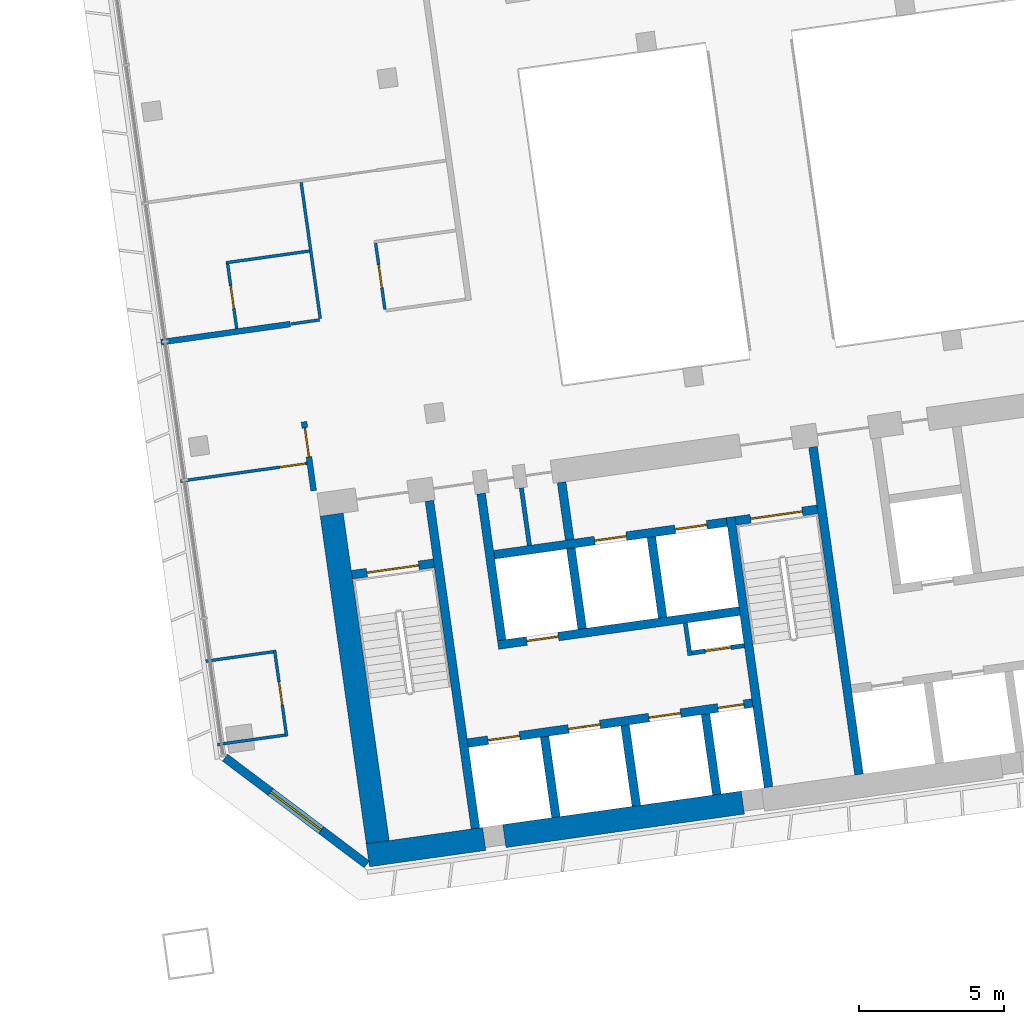
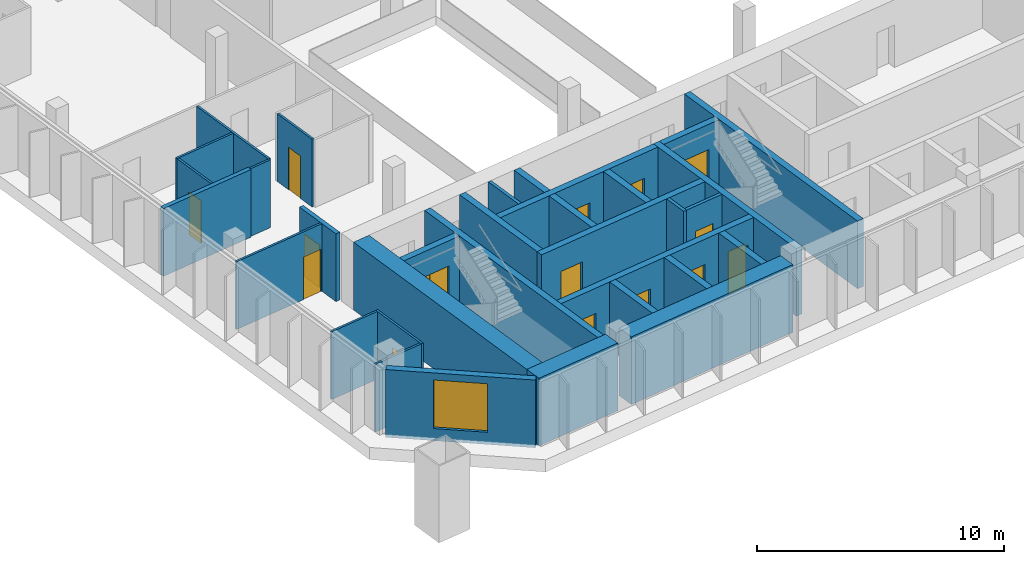
# One storey, part 18 of 25: 33 walls, 15 doors, 1 window, 16 openings.
"""IFC4 building model written with IfcOpenShell, lengths in metres."""

from ifc_helpers import new_model, si_unit, direction, frame, frame_2d, origin, place, context, subcontext, project, spatial, rectangle, extrude, material, layer, layer_set, type_object, element, fill, save


model = new_model("IFC4")

# Units and contexts
model_context = context("Model", 3, precision=1e-05, world=origin(), true_north=direction((0.0, 1.0)))
body_context = subcontext(model_context, "Body", "Model", "MODEL_VIEW")
ifc_project = project(units=[si_unit("LENGTHUNIT", "METRE"), si_unit("AREAUNIT", "SQUARE_METRE"), si_unit("VOLUMEUNIT", "CUBIC_METRE"), si_unit("PLANEANGLEUNIT", "RADIAN"), si_unit("MASSUNIT", "GRAM", prefix="KILO")], contexts=[model_context])

# Site, building, storey
site_placement = place(None, origin())
site = spatial("IfcSite", under=ifc_project, at=site_placement, CompositionType="ELEMENT")
building_placement = place(site_placement, origin())
building = spatial("IfcBuilding", under=site, at=building_placement, Name="Mirante Cascada Hotel Towers", CompositionType="ELEMENT")
storey_placement = place(building_placement, frame((0.0, 0.0, 102.5)))
storey = spatial("IfcBuildingStorey", under=building, at=storey_placement, Name="L22", CompositionType="ELEMENT", Elevation=102.5)

# Wall
ifc_material_1 = material(Name="Fire-rated plasterboard on metal studs")
ifc_layer_1 = layer(ifc_material_1, 0.2)
ifc_layer_set_1 = layer_set([ifc_layer_1], Name="Compartment wall 200 EI 120")
wall_type_1 = type_object("IfcWallType", Name="Compartment wall 200 EI 120", PredefinedType="PARTITIONING", material=ifc_layer_set_1)
wall_1_placement = place(storey_placement, frame((34.4562, -1.3737, 0.0), z_axis=(0.0, 0.0, 1.0), x_axis=(-0.9902674, -0.1391779, 0.0)))
element("IfcWall", 1, at=wall_1_placement, inside=storey, type_object=wall_type_1, Name="Wall 2-L22-08", PredefinedType="PARTITIONING", context=body_context, shape_type="SweptSolid", body=[
    extrude(rectangle(XDim=4.5, YDim=0.2, at=frame_2d((2.25, 0.0))), origin(), (0.0, 0.0, 1.0), 3.35),
])

# Wall, opening, door
wall_2_placement = place(storey_placement, frame((34.9294, -4.7406, 0.0), z_axis=(0.0, 0.0, 1.0), x_axis=(0.1391635, -0.9902694, 0.0)))
wall_2 = element("IfcWall", 2, at=wall_2_placement, inside=storey, type_object=wall_type_1, Name="Wall 2-L22-34", PredefinedType="PARTITIONING", context=body_context, shape_type="SweptSolid", body=[
    extrude(rectangle(XDim=2.4001, YDim=0.2, at=frame_2d((1.2, 0.0))), origin(), (0.0, 0.0, 1.0), 3.35),
])
opening_1_placement = place(wall_2_placement, frame((0.2167, 0.0, 0.0)))
opening_1 = element("IfcOpeningElement", 3, at=opening_1_placement, cuts=wall_2, Name="Opening D2-L22-28", PredefinedType="OPENING", context=body_context, shape_type="SweptSolid", body=[
    extrude(rectangle(XDim=1.0, YDim=2.1, at=frame_2d((0.5, 1.05))), frame((0.0, 0.1, 0.0), z_axis=(0.0, -1.0, 0.0), x_axis=(1.0, 0.0, 0.0)), (0.0, 0.0, 1.0), 0.2),
])
ifc_material_2 = material(Name="Fire-rated timber door leaf", Category="wood")
door_type_1 = type_object("IfcDoorType", Name="Entrance door DG1 1000x2100 EI 60", OperationType="SINGLE_SWING_LEFT", PredefinedType="DOOR", material=ifc_material_2)
door_1_placement = place(opening_1_placement, frame((1.0, 0.0, 0.0), z_axis=(0.0, 0.0, 1.0), x_axis=(-1.0, 0.0, 0.0)))
door_1 = element("IfcDoor", 4, at=door_1_placement, inside=storey, type_object=door_type_1, Name="Door D2-L22-28", OperationType="SINGLE_SWING_RIGHT", OverallHeight=2.1, OverallWidth=1.0, PredefinedType="DOOR", context=body_context, shape_type="SweptSolid", body=[
    extrude(rectangle(XDim=1.0, YDim=2.1, at=frame_2d((0.5, 1.05))), frame((0.0, 0.025, 0.0), z_axis=(0.0, -1.0, 0.0), x_axis=(1.0, 0.0, 0.0)), (0.0, 0.0, 1.0), 0.05),
])
fill(opening_1, door_1)

# Wall
ifc_material_3 = material(Name="Masonry block", Category="masonry")
ifc_layer_2 = layer(ifc_material_3, 0.15)
ifc_layer_set_2 = layer_set([ifc_layer_2], Name="Core room partition 150 block EI 30")
wall_type_2 = type_object("IfcWallType", Name="Core room partition 150 block EI 30", PredefinedType="PARTITIONING", material=ifc_layer_set_2)
wall_3_placement = place(storey_placement, frame((48.2295, -12.793, 0.0), z_axis=(0.0, 0.0, 1.0), x_axis=(-0.1391935, 0.9902652, 0.0)))
element("IfcWall", 5, at=wall_3_placement, inside=storey, type_object=wall_type_2, Name="Core wall partition T2 L22 2", PredefinedType="PARTITIONING", context=body_context, shape_type="SweptSolid", body=[
    extrude(rectangle(XDim=1.1251, YDim=0.15, at=frame_2d((0.5626, 0.0))), origin(), (0.0, 0.0, 1.0), 3.35),
])

# Wall, opening, door
wall_4_placement = place(storey_placement, frame((48.2933, -12.7083, 0.0), z_axis=(0.0, 0.0, 1.0), x_axis=(0.990268, 0.1391734, 0.0)))
wall_4 = element("IfcWall", 6, at=wall_4_placement, inside=storey, type_object=wall_type_2, Name="Core wall partition T2 L22 3", PredefinedType="PARTITIONING", context=body_context, shape_type="SweptSolid", body=[
    extrude(rectangle(XDim=1.8251, YDim=0.15, at=frame_2d((0.9126, 0.0))), origin(), (0.0, 0.0, 1.0), 3.35),
])
opening_2_placement = place(wall_4_placement, frame((0.4625, 0.0, 0.0)))
opening_2 = element("IfcOpeningElement", 7, at=opening_2_placement, cuts=wall_4, Name="Opening D2-22-C23", PredefinedType="OPENING", context=body_context, shape_type="SweptSolid", body=[
    extrude(rectangle(XDim=0.9, YDim=2.1, at=frame_2d((0.45, 1.05))), frame((0.0, 0.075, 0.0), z_axis=(0.0, -1.0, 0.0), x_axis=(1.0, 0.0, 0.0)), (0.0, 0.0, 1.0), 0.15),
])
ifc_material_4 = material(Name="Hollow metal fire door leaf")
door_type_2 = type_object("IfcDoorType", Name="Fire door 900x2100 FD60", OperationType="NOTDEFINED", PredefinedType="DOOR", material=ifc_material_4)
door_2_placement = place(opening_2_placement, frame((0.9, 0.0, 0.0), z_axis=(0.0, 0.0, 1.0), x_axis=(-1.0, 0.0, 0.0)))
door_2 = element("IfcDoor", 8, at=door_2_placement, inside=storey, type_object=door_type_2, Name="Riser door T2 L22 23", OperationType="SINGLE_SWING_RIGHT", OverallHeight=2.1, OverallWidth=0.9, PredefinedType="DOOR", context=body_context, shape_type="SweptSolid", body=[
    extrude(rectangle(XDim=0.9, YDim=2.1, at=frame_2d((0.45, 1.05))), frame((0.0, 0.025, 0.0), z_axis=(0.0, -1.0, 0.0), x_axis=(1.0, 0.0, 0.0)), (0.0, 0.0, 1.0), 0.05),
])
fill(opening_2, door_2)

# Walls
wall_5_placement = place(storey_placement, frame((42.6979, -9.0009, 0.0), z_axis=(0.0, 0.0, 1.0), x_axis=(-0.1391529, 0.9902709, 0.0)))
element("IfcWall", 9, at=wall_5_placement, inside=storey, type_object=wall_type_2, Name="Core wall partition T2 L22 4", PredefinedType="PARTITIONING", context=body_context, shape_type="SweptSolid", body=[
    extrude(rectangle(XDim=2.0, YDim=0.15, at=frame_2d((1.0, 0.0))), origin(), (0.0, 0.0, 1.0), 3.35),
])
ifc_material_5 = material(Name="Masonry block", Category="masonry")
ifc_layer_3 = layer(ifc_material_5, 0.3)
ifc_layer_set_3 = layer_set([ifc_layer_3], Name="Core wall 300 block EI 120")
wall_type_3 = type_object("IfcWallType", Name="Core wall 300 block EI 120", PredefinedType="PARTITIONING", material=ifc_layer_set_3)
wall_6_placement = place(storey_placement, frame((44.0843, -8.8061, 0.0), z_axis=(0.0, 0.0, 1.0), x_axis=(-0.1391951, 0.990265, 0.0)))
element("IfcWall", 10, at=wall_6_placement, inside=storey, type_object=wall_type_3, Name="Core wall partition T2 L22 1", PredefinedType="PARTITIONING", context=body_context, shape_type="SweptSolid", body=[
    extrude(rectangle(XDim=2.0001, YDim=0.3, at=frame_2d((1.0001, 0.0))), origin(), (0.0, 0.0, 1.0), 3.35),
])
ifc_material_6 = material(Name="Plasterboard on metal studs")
ifc_layer_4 = layer(ifc_material_6, 0.1)
ifc_layer_set_4 = layer_set([ifc_layer_4], Name="Partition 100")
wall_type_4 = type_object("IfcWallType", Name="Partition 100", PredefinedType="PARTITIONING", material=ifc_layer_set_4)
for number, where, z_axis, x_axis, name in (
    (11, (34.2756, -15.5367, 0.0), (0.0, 0.0, 1.0), (-0.9902661, -0.139187, 0.0), "Wall 2-L22-02"),
    (12, (31.5448, -12.992, 0.0), (0.0, 0.0, 1.0), (0.9902661, 0.139187, 0.0), "Wall 2-L22-03"),
):
    element("IfcWall", number, at=place(storey_placement, frame(where, z_axis=z_axis, x_axis=x_axis)), inside=storey, type_object=wall_type_4, Name=name, PredefinedType="PARTITIONING", context=body_context, shape_type="SweptSolid", body=[
        extrude(rectangle(XDim=2.3501, YDim=0.1, at=frame_2d((1.175, 0.0))), origin(), (0.0, 0.0, 1.0), 3.35),
    ])

# Wall, opening, door
wall_7_placement = place(storey_placement, frame((35.0298, -6.1739, 0.0), z_axis=(0.0, 0.0, 1.0), x_axis=(-0.9902665, -0.1391841, 0.0)))
wall_7 = element("IfcWall", 13, at=wall_7_placement, inside=storey, type_object=wall_type_4, Name="Wall 2-L22-04", PredefinedType="PARTITIONING", context=body_context, shape_type="SweptSolid", body=[
    extrude(rectangle(XDim=4.3999, YDim=0.1, at=frame_2d((2.2, 0.0))), origin(), (0.0, 0.0, 1.0), 3.35),
])
opening_3_placement = place(wall_7_placement, frame((0.05, 0.0, 0.0)))
opening_3 = element("IfcOpeningElement", 14, at=opening_3_placement, cuts=wall_7, Name="Opening D2-L22-02", PredefinedType="OPENING", context=body_context, shape_type="SweptSolid", body=[
    extrude(rectangle(XDim=0.9, YDim=2.1, at=frame_2d((0.45, 1.05))), frame((0.0, 0.05, 0.0), z_axis=(0.0, -1.0, 0.0), x_axis=(1.0, 0.0, 0.0)), (0.0, 0.0, 1.0), 0.1),
])
ifc_material_7 = material(Name="Timber door leaf", Category="wood")
door_type_3 = type_object("IfcDoorType", Name="Room door DG3 900x2100", OperationType="SINGLE_SWING_LEFT", PredefinedType="DOOR", material=ifc_material_7)
door_3_placement = place(opening_3_placement, origin())
door_3 = element("IfcDoor", 15, at=door_3_placement, inside=storey, type_object=door_type_3, Name="Door D2-L22-02", OperationType="SINGLE_SWING_LEFT", OverallHeight=2.1, OverallWidth=0.9, PredefinedType="DOOR", context=body_context, shape_type="SweptSolid", body=[
    extrude(rectangle(XDim=0.9, YDim=2.1, at=frame_2d((0.45, 1.05))), frame((0.0, 0.025, 0.0), z_axis=(0.0, -1.0, 0.0), x_axis=(1.0, 0.0, 0.0)), (0.0, 0.0, 1.0), 0.05),
])
fill(opening_3, door_3)

# Walls
wall_8_placement = place(storey_placement, frame((34.4859, -1.3695, 0.0), z_axis=(0.0, 0.0, 1.0), x_axis=(0.9902801, 0.1390877, 0.0)))
element("IfcWall", 16, at=wall_8_placement, inside=storey, type_object=wall_type_4, Name="Wall 2-L22-09", PredefinedType="PARTITIONING", context=body_context, shape_type="SweptSolid", body=[
    extrude(rectangle(XDim=0.99, YDim=0.1, at=frame_2d((0.495, 0.0))), origin(), (0.0, 0.0, 1.0), 3.35),
])
wall_9_placement = place(storey_placement, frame((35.1125, 1.1421, 0.0), z_axis=(0.0, 0.0, 1.0), x_axis=(-0.9902683, -0.1391714, 0.0)))
element("IfcWall", 17, at=wall_9_placement, inside=storey, type_object=wall_type_4, Name="Wall 2-L22-12", PredefinedType="PARTITIONING", context=body_context, shape_type="SweptSolid", body=[
    extrude(rectangle(XDim=2.9, YDim=0.1, at=frame_2d((1.45, 0.0))), origin(), (0.0, 0.0, 1.0), 3.35),
])

# Wall, opening, door
wall_10_placement = place(storey_placement, frame((33.9145, -12.6084, 0.0), z_axis=(0.0, 0.0, 1.0), x_axis=(0.1391624, -0.9902696, 0.0)))
wall_10 = element("IfcWall", 18, at=wall_10_placement, inside=storey, type_object=wall_type_4, Name="Wall 2-L22-32", PredefinedType="PARTITIONING", context=body_context, shape_type="SweptSolid", body=[
    extrude(rectangle(XDim=3.0001, YDim=0.1, at=frame_2d((1.5001, 0.0))), origin(), (0.0, 0.0, 1.0), 3.35),
])
opening_4_placement = place(wall_10_placement, frame((1.1, 0.0, 0.0)))
opening_4 = element("IfcOpeningElement", 19, at=opening_4_placement, cuts=wall_10, Name="Opening D2-L22-26", PredefinedType="OPENING", context=body_context, shape_type="SweptSolid", body=[
    extrude(rectangle(XDim=0.8, YDim=2.1, at=frame_2d((0.4, 1.05))), frame((0.0, 0.05, 0.0), z_axis=(0.0, -1.0, 0.0), x_axis=(1.0, 0.0, 0.0)), (0.0, 0.0, 1.0), 0.1),
])
ifc_material_8 = material(Name="Timber door leaf", Category="wood")
door_type_4 = type_object("IfcDoorType", Name="Bathroom door DG4 800x2100", OperationType="SINGLE_SWING_LEFT", PredefinedType="DOOR", material=ifc_material_8)
door_4_placement = place(opening_4_placement, origin())
door_4 = element("IfcDoor", 20, at=door_4_placement, inside=storey, type_object=door_type_4, Name="Door D2-L22-26", OperationType="SINGLE_SWING_LEFT", OverallHeight=2.1, OverallWidth=0.8, PredefinedType="DOOR", context=body_context, shape_type="SweptSolid", body=[
    extrude(rectangle(XDim=0.8, YDim=2.1, at=frame_2d((0.4, 1.05))), frame((0.0, 0.025, 0.0), z_axis=(0.0, -1.0, 0.0), x_axis=(1.0, 0.0, 0.0)), (0.0, 0.0, 1.0), 0.05),
])
fill(opening_4, door_4)

wall_11_placement = place(storey_placement, frame((32.6103, -1.5322, 0.0), z_axis=(0.0, 0.0, 1.0), x_axis=(-0.1391561, 0.9902705, 0.0)))
wall_11 = element("IfcWall", 21, at=wall_11_placement, inside=storey, type_object=wall_type_4, Name="Wall 2-L22-33", PredefinedType="PARTITIONING", context=body_context, shape_type="SweptSolid", body=[
    extrude(rectangle(XDim=2.25, YDim=0.1, at=frame_2d((1.125, 0.0))), origin(), (0.0, 0.0, 1.0), 3.35),
])
opening_5_placement = place(wall_11_placement, frame((0.7, 0.0, 0.0)))
opening_5 = element("IfcOpeningElement", 22, at=opening_5_placement, cuts=wall_11, Name="Opening D2-L22-27", PredefinedType="OPENING", context=body_context, shape_type="SweptSolid", body=[
    extrude(rectangle(XDim=0.8, YDim=2.1, at=frame_2d((0.4, 1.05))), frame((0.0, 0.05, 0.0), z_axis=(0.0, -1.0, 0.0), x_axis=(1.0, 0.0, 0.0)), (0.0, 0.0, 1.0), 0.1),
])
door_5_placement = place(opening_5_placement, frame((0.8, 0.0, 0.0), z_axis=(0.0, 0.0, 1.0), x_axis=(-1.0, 0.0, 0.0)))
door_5 = element("IfcDoor", 23, at=door_5_placement, inside=storey, type_object=door_type_4, Name="Door D2-L22-27", OperationType="SINGLE_SWING_RIGHT", OverallHeight=2.1, OverallWidth=0.8, PredefinedType="DOOR", context=body_context, shape_type="SweptSolid", body=[
    extrude(rectangle(XDim=0.8, YDim=2.1, at=frame_2d((0.4, 1.05))), frame((0.0, 0.025, 0.0), z_axis=(0.0, -1.0, 0.0), x_axis=(1.0, 0.0, 0.0)), (0.0, 0.0, 1.0), 0.05),
])
fill(opening_5, door_5)

# Wall
wall_12_placement = place(storey_placement, frame((34.8303, 3.5092, 0.0), z_axis=(0.0, 0.0, 1.0), x_axis=(0.1391613, -0.9902697, 0.0)))
element("IfcWall", 24, at=wall_12_placement, inside=storey, type_object=wall_type_4, Name="Wall 2-L22-36", PredefinedType="PARTITIONING", context=body_context, shape_type="SweptSolid", body=[
    extrude(rectangle(XDim=4.7334, YDim=0.1, at=frame_2d((2.3667, 0.0))), origin(), (0.0, 0.0, 1.0), 3.35),
])

# Wall, opening, door
wall_13_placement = place(storey_placement, frame((37.7171, -0.8649, 0.0), z_axis=(0.0, 0.0, 1.0), x_axis=(-0.1391749, 0.9902678, 0.0)))
wall_13 = element("IfcWall", 25, at=wall_13_placement, inside=storey, type_object=wall_type_4, Name="Wall 2-L22-37", PredefinedType="PARTITIONING", context=body_context, shape_type="SweptSolid", body=[
    extrude(rectangle(XDim=2.3, YDim=0.1, at=frame_2d((1.15, 0.0))), origin(), (0.0, 0.0, 1.0), 3.35),
])
opening_6_placement = place(wall_13_placement, frame((0.75, 0.0, 0.0)))
opening_6 = element("IfcOpeningElement", 26, at=opening_6_placement, cuts=wall_13, Name="Opening D2-L22-30", PredefinedType="OPENING", context=body_context, shape_type="SweptSolid", body=[
    extrude(rectangle(XDim=0.8, YDim=2.1, at=frame_2d((0.4, 1.05))), frame((0.0, 0.05, 0.0), z_axis=(0.0, -1.0, 0.0), x_axis=(1.0, 0.0, 0.0)), (0.0, 0.0, 1.0), 0.1),
])
door_6_placement = place(opening_6_placement, frame((0.8, 0.0, 0.0), z_axis=(0.0, 0.0, 1.0), x_axis=(-1.0, 0.0, 0.0)))
door_6 = element("IfcDoor", 27, at=door_6_placement, inside=storey, type_object=door_type_4, Name="Door D2-L22-30", OperationType="SINGLE_SWING_RIGHT", OverallHeight=2.1, OverallWidth=0.8, PredefinedType="DOOR", context=body_context, shape_type="SweptSolid", body=[
    extrude(rectangle(XDim=0.8, YDim=2.1, at=frame_2d((0.4, 1.05))), frame((0.0, 0.025, 0.0), z_axis=(0.0, -1.0, 0.0), x_axis=(1.0, 0.0, 0.0)), (0.0, 0.0, 1.0), 0.05),
])
fill(opening_6, door_6)

# Wall, opening, window
ifc_material_9 = material(Name="Precast concrete C40/50", Category="concrete")
ifc_layer_5 = layer(ifc_material_9, 0.3)
ifc_layer_set_5 = layer_set([ifc_layer_5], Name="Precast concrete C40/50 cladding wall 300")
wall_type_5 = type_object("IfcWallType", Name="Precast concrete C40/50 cladding wall 300", PredefinedType="STANDARD", material=ifc_layer_set_5)
wall_14_placement = place(storey_placement, frame((32.2074, -16.3138, 0.0), z_axis=(0.0, 0.0, 1.0), x_axis=(0.7986362, -0.6018141, 0.0)))
wall_14 = element("IfcWall", 28, at=wall_14_placement, inside=storey, type_object=wall_type_5, Name="Corner cladding wall T2 L22 inner rear", PredefinedType="STANDARD", context=body_context, shape_type="SweptSolid", body=[
    extrude(rectangle(XDim=6.1157, YDim=0.3, at=frame_2d((3.0578, 0.0))), origin(), (0.0, 0.0, 1.0), 3.35),
])
opening_7_placement = place(wall_14_placement, frame((1.9578, 0.0, 0.6)))
opening_7 = element("IfcOpeningElement", 29, at=opening_7_placement, cuts=wall_14, Name="Opening W2-22-06", PredefinedType="OPENING", context=body_context, shape_type="SweptSolid", body=[
    extrude(rectangle(XDim=2.2, YDim=2.4, at=frame_2d((1.1, 1.2))), frame((0.0, 0.15, 0.0), z_axis=(0.0, -1.0, 0.0), x_axis=(1.0, 0.0, 0.0)), (0.0, 0.0, 1.0), 0.3),
])
ifc_material_10 = material(Name="Aluminium frame with clear double glazing", Category="aluminium")
window_type = type_object("IfcWindowType", Name="Corner suite window 2200x2400", PartitioningType="DOUBLE_PANEL_VERTICAL", PredefinedType="WINDOW", material=ifc_material_10)
window_placement = place(opening_7_placement, origin())
window = element("IfcWindow", 30, at=window_placement, inside=storey, type_object=window_type, Name="Window W2-22-06", OverallHeight=2.4, OverallWidth=2.2, PartitioningType="SINGLE_PANEL", PredefinedType="WINDOW", context=body_context, shape_type="SweptSolid", body=[
    extrude(rectangle(XDim=2.2, YDim=2.4, at=frame_2d((1.1, 1.2))), frame((0.0, 0.03, 0.0), z_axis=(0.0, -1.0, 0.0), x_axis=(1.0, 0.0, 0.0)), (0.0, 0.0, 1.0), 0.06),
])
fill(opening_7, window)

# Walls
ifc_material_11 = material(Name="Concrete C50/60", Category="concrete")
ifc_layer_6 = layer(ifc_material_11, 0.3)
ifc_layer_set_6 = layer_set([ifc_layer_6], Name="RC core wall 300 C50/60")
wall_type_6 = type_object("IfcWallType", Name="RC core wall 300 C50/60", PredefinedType="SHEAR", material=ifc_layer_set_6)
wall_15_placement = place(storey_placement, frame((40.8373, -18.7548, 0.0), z_axis=(0.0, 0.0, 1.0), x_axis=(-0.1391749, 0.9902678, 0.0)))
element("IfcWall", 31, at=wall_15_placement, inside=storey, type_object=wall_type_6, Name="Core wall T2:L22:5", PredefinedType="SHEAR", context=body_context, shape_type="SweptSolid", body=[
    extrude(rectangle(XDim=11.4, YDim=0.3, at=frame_2d((5.7, 0.0))), origin(), (0.0, 0.0, 1.0), 3.35),
])
wall_16_placement = place(storey_placement, frame((50.938, -17.3352, 0.0), z_axis=(0.0, 0.0, 1.0), x_axis=(-0.1391706, 0.9902684, 0.0)))
element("IfcWall", 32, at=wall_16_placement, inside=storey, type_object=wall_type_6, Name="Core wall T2:L22:6", PredefinedType="SHEAR", context=body_context, shape_type="SweptSolid", body=[
    extrude(rectangle(XDim=9.4, YDim=0.3, at=frame_2d((4.7, 0.0))), origin(), (0.0, 0.0, 1.0), 3.35),
])
wall_17_placement = place(storey_placement, frame((54.0574, -16.8968, 0.0), z_axis=(0.0, 0.0, 1.0), x_axis=(-0.1391761, 0.9902677, 0.0)))
element("IfcWall", 33, at=wall_17_placement, inside=storey, type_object=wall_type_6, Name="Core wall T2:L22:7", PredefinedType="SHEAR", context=body_context, shape_type="SweptSolid", body=[
    extrude(rectangle(XDim=11.3999, YDim=0.3, at=frame_2d((5.7, 0.0))), origin(), (0.0, 0.0, 1.0), 3.35),
])

# Wall, opening, door
wall_18_placement = place(storey_placement, frame((36.5791, -10.0123, 0.0), z_axis=(0.0, 0.0, 1.0), x_axis=(0.9902704, 0.1391564, 0.0)))
wall_18 = element("IfcWall", 34, at=wall_18_placement, inside=storey, type_object=wall_type_6, Name="Core wall T2:L22:9", PredefinedType="SHEAR", context=body_context, shape_type="SweptSolid", body=[
    extrude(rectangle(XDim=2.85, YDim=0.3, at=frame_2d((1.425, 0.0))), origin(), (0.0, 0.0, 1.0), 3.35),
])
opening_8_placement = place(wall_18_placement, frame((0.525, 0.0, 0.0)))
opening_8 = element("IfcOpeningElement", 35, at=opening_8_placement, cuts=wall_18, Name="Opening D2-22-C13", PredefinedType="OPENING", context=body_context, shape_type="SweptSolid", body=[
    extrude(rectangle(XDim=1.8, YDim=2.1, at=frame_2d((0.9, 1.05))), frame((0.0, 0.15, 0.0), z_axis=(0.0, -1.0, 0.0), x_axis=(1.0, 0.0, 0.0)), (0.0, 0.0, 1.0), 0.3),
])
ifc_material_12 = material(Name="Hollow metal fire door leaf")
door_type_5 = type_object("IfcDoorType", Name="Double fire door 1800x2100 FD60", OperationType="DOUBLE_DOOR_SINGLE_SWING", PredefinedType="DOOR", material=ifc_material_12)
door_7_placement = place(opening_8_placement, frame((1.8, 0.0, 0.0), z_axis=(0.0, 0.0, 1.0), x_axis=(-1.0, 0.0, 0.0)))
door_7 = element("IfcDoor", 36, at=door_7_placement, inside=storey, type_object=door_type_5, Name="Stair door T2 L22 13", OperationType="DOUBLE_DOOR_SINGLE_SWING", OverallHeight=2.1, OverallWidth=1.8, PredefinedType="DOOR", context=body_context, shape_type="SweptSolid", body=[
    extrude(rectangle(XDim=0.895, YDim=2.1, at=frame_2d((0.4475, 1.05))), frame((0.0, 0.025, 0.0), z_axis=(0.0, -1.0, 0.0), x_axis=(1.0, 0.0, 0.0)), (0.0, 0.0, 1.0), 0.05),
    extrude(rectangle(XDim=0.895, YDim=2.1, at=frame_2d((1.3525, 1.05))), frame((0.0, 0.025, 0.0), z_axis=(0.0, -1.0, 0.0), x_axis=(1.0, 0.0, 0.0)), (0.0, 0.0, 1.0), 0.05),
])
fill(opening_8, door_7)

wall_19_placement = place(storey_placement, frame((49.7992, -8.1544, 0.0), z_axis=(0.0, 0.0, 1.0), x_axis=(0.9902656, 0.1391909, 0.0)))
wall_19 = element("IfcWall", 37, at=wall_19_placement, inside=storey, type_object=wall_type_6, Name="Core wall T2:L22:10", PredefinedType="SHEAR", context=body_context, shape_type="SweptSolid", body=[
    extrude(rectangle(XDim=2.85, YDim=0.3, at=frame_2d((1.425, 0.0))), origin(), (0.0, 0.0, 1.0), 3.35),
])
opening_9_placement = place(wall_19_placement, frame((0.525, 0.0, 0.0)))
opening_9 = element("IfcOpeningElement", 38, at=opening_9_placement, cuts=wall_19, Name="Opening D2-22-C15", PredefinedType="OPENING", context=body_context, shape_type="SweptSolid", body=[
    extrude(rectangle(XDim=1.8, YDim=2.1, at=frame_2d((0.9, 1.05))), frame((0.0, 0.15, 0.0), z_axis=(0.0, -1.0, 0.0), x_axis=(1.0, 0.0, 0.0)), (0.0, 0.0, 1.0), 0.3),
])
door_8_placement = place(opening_9_placement, frame((1.8, 0.0, 0.0), z_axis=(0.0, 0.0, 1.0), x_axis=(-1.0, 0.0, 0.0)))
door_8 = element("IfcDoor", 39, at=door_8_placement, inside=storey, type_object=door_type_5, Name="Stair door T2 L22 15", OperationType="DOUBLE_DOOR_SINGLE_SWING", OverallHeight=2.1, OverallWidth=1.8, PredefinedType="DOOR", context=body_context, shape_type="SweptSolid", body=[
    extrude(rectangle(XDim=0.895, YDim=2.1, at=frame_2d((0.4475, 1.05))), frame((0.0, 0.025, 0.0), z_axis=(0.0, -1.0, 0.0), x_axis=(1.0, 0.0, 0.0)), (0.0, 0.0, 1.0), 0.05),
    extrude(rectangle(XDim=0.895, YDim=2.1, at=frame_2d((1.3525, 1.05))), frame((0.0, 0.025, 0.0), z_axis=(0.0, -1.0, 0.0), x_axis=(1.0, 0.0, 0.0)), (0.0, 0.0, 1.0), 0.05),
])
fill(opening_9, door_8)

# Wall, openings, doors
wall_20_placement = place(storey_placement, frame((40.5753, -15.8126, 0.0), z_axis=(0.0, 0.0, 1.0), x_axis=(0.9902682, 0.1391725, 0.0)))
wall_20 = element("IfcWall", 40, at=wall_20_placement, inside=storey, type_object=wall_type_6, Name="Core wall T2:L22:12", PredefinedType="SHEAR", context=body_context, shape_type="SweptSolid", body=[
    extrude(rectangle(XDim=9.8999, YDim=0.3, at=frame_2d((4.95, 0.0))), origin(), (0.0, 0.0, 1.0), 3.35),
])
opening_10_placement = place(wall_20_placement, frame((0.7, 0.0, 0.0)))
opening_10 = element("IfcOpeningElement", 41, at=opening_10_placement, cuts=wall_20, Name="Opening LD", PredefinedType="OPENING", context=body_context, shape_type="SweptSolid", body=[
    extrude(rectangle(XDim=1.1, YDim=2.1, at=frame_2d((0.55, 1.05))), frame((0.0, 0.15, 0.0), z_axis=(0.0, -1.0, 0.0), x_axis=(1.0, 0.0, 0.0)), (0.0, 0.0, 1.0), 0.3),
])
opening_11_placement = place(wall_20_placement, frame((3.5, 0.0, 0.0)))
opening_11 = element("IfcOpeningElement", 42, at=opening_11_placement, cuts=wall_20, Name="Opening LD", PredefinedType="OPENING", context=body_context, shape_type="SweptSolid", body=[
    extrude(rectangle(XDim=1.1, YDim=2.1, at=frame_2d((0.55, 1.05))), frame((0.0, 0.15, 0.0), z_axis=(0.0, -1.0, 0.0), x_axis=(1.0, 0.0, 0.0)), (0.0, 0.0, 1.0), 0.3),
])
opening_12_placement = place(wall_20_placement, frame((6.3, 0.0, 0.0)))
opening_12 = element("IfcOpeningElement", 43, at=opening_12_placement, cuts=wall_20, Name="Opening LD", PredefinedType="OPENING", context=body_context, shape_type="SweptSolid", body=[
    extrude(rectangle(XDim=1.1, YDim=2.1, at=frame_2d((0.55, 1.05))), frame((0.0, 0.15, 0.0), z_axis=(0.0, -1.0, 0.0), x_axis=(1.0, 0.0, 0.0)), (0.0, 0.0, 1.0), 0.3),
])
opening_13_placement = place(wall_20_placement, frame((8.7, 0.0, 0.0)))
opening_13 = element("IfcOpeningElement", 44, at=opening_13_placement, cuts=wall_20, Name="Opening D2-22-C22", PredefinedType="OPENING", context=body_context, shape_type="SweptSolid", body=[
    extrude(rectangle(XDim=0.9, YDim=2.1, at=frame_2d((0.45, 1.05))), frame((0.0, 0.15, 0.0), z_axis=(0.0, -1.0, 0.0), x_axis=(1.0, 0.0, 0.0)), (0.0, 0.0, 1.0), 0.3),
])
door_9_placement = place(opening_13_placement, frame((0.9, 0.0, 0.0), z_axis=(0.0, 0.0, 1.0), x_axis=(-1.0, 0.0, 0.0)))
door_9 = element("IfcDoor", 45, at=door_9_placement, inside=storey, type_object=door_type_2, Name="Riser door T2 L22 22", OperationType="SINGLE_SWING_RIGHT", OverallHeight=2.1, OverallWidth=0.9, PredefinedType="DOOR", context=body_context, shape_type="SweptSolid", body=[
    extrude(rectangle(XDim=0.9, YDim=2.1, at=frame_2d((0.45, 1.05))), frame((0.0, 0.025, 0.0), z_axis=(0.0, -1.0, 0.0), x_axis=(1.0, 0.0, 0.0)), (0.0, 0.0, 1.0), 0.05),
])
fill(opening_13, door_9)
ifc_material_13 = material(Name="Stainless steel", Category="steel")
door_type_6 = type_object("IfcDoorType", Name="Lift landing door 1100x2100 EI 120", OperationType="DOUBLE_DOOR_SLIDING", PredefinedType="DOOR", material=ifc_material_13)
door_10_placement = place(opening_10_placement, origin())
door_10 = element("IfcDoor", 46, at=door_10_placement, inside=storey, type_object=door_type_6, Name="Lift landing door HR2-1 L22", OperationType="DOUBLE_DOOR_SLIDING", OverallHeight=2.1, OverallWidth=1.1, PredefinedType="DOOR", context=body_context, shape_type="SweptSolid", body=[
    extrude(rectangle(XDim=0.545, YDim=2.1, at=frame_2d((0.2725, 1.05))), frame((0.0, 0.025, 0.0), z_axis=(0.0, -1.0, 0.0), x_axis=(1.0, 0.0, 0.0)), (0.0, 0.0, 1.0), 0.05),
    extrude(rectangle(XDim=0.545, YDim=2.1, at=frame_2d((0.8275, 1.05))), frame((0.0, 0.025, 0.0), z_axis=(0.0, -1.0, 0.0), x_axis=(1.0, 0.0, 0.0)), (0.0, 0.0, 1.0), 0.05),
])
fill(opening_10, door_10)
door_11_placement = place(opening_11_placement, origin())
door_11 = element("IfcDoor", 47, at=door_11_placement, inside=storey, type_object=door_type_6, Name="Lift landing door HR2-2 L22", OperationType="DOUBLE_DOOR_SLIDING", OverallHeight=2.1, OverallWidth=1.1, PredefinedType="DOOR", context=body_context, shape_type="SweptSolid", body=[
    extrude(rectangle(XDim=0.545, YDim=2.1, at=frame_2d((0.2725, 1.05))), frame((0.0, 0.025, 0.0), z_axis=(0.0, -1.0, 0.0), x_axis=(1.0, 0.0, 0.0)), (0.0, 0.0, 1.0), 0.05),
    extrude(rectangle(XDim=0.545, YDim=2.1, at=frame_2d((0.8275, 1.05))), frame((0.0, 0.025, 0.0), z_axis=(0.0, -1.0, 0.0), x_axis=(1.0, 0.0, 0.0)), (0.0, 0.0, 1.0), 0.05),
])
fill(opening_11, door_11)
door_12_placement = place(opening_12_placement, origin())
door_12 = element("IfcDoor", 48, at=door_12_placement, inside=storey, type_object=door_type_6, Name="Lift landing door HR2-3 L22", OperationType="DOUBLE_DOOR_SLIDING", OverallHeight=2.1, OverallWidth=1.1, PredefinedType="DOOR", context=body_context, shape_type="SweptSolid", body=[
    extrude(rectangle(XDim=0.545, YDim=2.1, at=frame_2d((0.2725, 1.05))), frame((0.0, 0.025, 0.0), z_axis=(0.0, -1.0, 0.0), x_axis=(1.0, 0.0, 0.0)), (0.0, 0.0, 1.0), 0.05),
    extrude(rectangle(XDim=0.545, YDim=2.1, at=frame_2d((0.8275, 1.05))), frame((0.0, 0.025, 0.0), z_axis=(0.0, -1.0, 0.0), x_axis=(1.0, 0.0, 0.0)), (0.0, 0.0, 1.0), 0.05),
])
fill(opening_12, door_12)

# Wall, opening, door
wall_21_placement = place(storey_placement, frame((41.6153, -12.435, 0.0), z_axis=(0.0, 0.0, 1.0), x_axis=(0.9902691, 0.139166, 0.0)))
wall_21 = element("IfcWall", 49, at=wall_21_placement, inside=storey, type_object=wall_type_6, Name="Core wall T2:L22:13", PredefinedType="SHEAR", context=body_context, shape_type="SweptSolid", body=[
    extrude(rectangle(XDim=8.4, YDim=0.3, at=frame_2d((4.2, 0.0))), origin(), (0.0, 0.0, 1.0), 3.35),
])
opening_14_placement = place(wall_21_placement, frame((1.0, 0.0, 0.0)))
opening_14 = element("IfcOpeningElement", 50, at=opening_14_placement, cuts=wall_21, Name="Opening LD", PredefinedType="OPENING", context=body_context, shape_type="SweptSolid", body=[
    extrude(rectangle(XDim=1.1, YDim=2.1, at=frame_2d((0.55, 1.05))), frame((0.0, 0.15, 0.0), z_axis=(0.0, -1.0, 0.0), x_axis=(1.0, 0.0, 0.0)), (0.0, 0.0, 1.0), 0.3),
])
door_13_placement = place(opening_14_placement, origin())
door_13 = element("IfcDoor", 51, at=door_13_placement, inside=storey, type_object=door_type_6, Name="Lift landing door HR2-4 L22", OperationType="DOUBLE_DOOR_SLIDING", OverallHeight=2.1, OverallWidth=1.1, PredefinedType="DOOR", context=body_context, shape_type="SweptSolid", body=[
    extrude(rectangle(XDim=0.545, YDim=2.1, at=frame_2d((0.2725, 1.05))), frame((0.0, 0.025, 0.0), z_axis=(0.0, -1.0, 0.0), x_axis=(1.0, 0.0, 0.0)), (0.0, 0.0, 1.0), 0.05),
    extrude(rectangle(XDim=0.545, YDim=2.1, at=frame_2d((0.8275, 1.05))), frame((0.0, 0.025, 0.0), z_axis=(0.0, -1.0, 0.0), x_axis=(1.0, 0.0, 0.0)), (0.0, 0.0, 1.0), 0.05),
])
fill(opening_14, door_13)

# Wall, openings, doors
wall_22_placement = place(storey_placement, frame((41.481, -9.3234, 0.0), z_axis=(0.0, 0.0, 1.0), x_axis=(0.9902679, 0.1391741, 0.0)))
wall_22 = element("IfcWall", 52, at=wall_22_placement, inside=storey, type_object=wall_type_6, Name="Core wall T2:L22:14", PredefinedType="SHEAR", context=body_context, shape_type="SweptSolid", body=[
    extrude(rectangle(XDim=8.0999, YDim=0.3, at=frame_2d((4.05, 0.0))), origin(), (0.0, 0.0, 1.0), 3.35),
])
opening_15_placement = place(wall_22_placement, frame((3.5, 0.0, 0.0)))
opening_15 = element("IfcOpeningElement", 53, at=opening_15_placement, cuts=wall_22, Name="Opening LD", PredefinedType="OPENING", context=body_context, shape_type="SweptSolid", body=[
    extrude(rectangle(XDim=1.1, YDim=2.1, at=frame_2d((0.55, 1.05))), frame((0.0, 0.15, 0.0), z_axis=(0.0, -1.0, 0.0), x_axis=(1.0, 0.0, 0.0)), (0.0, 0.0, 1.0), 0.3),
])
opening_16_placement = place(wall_22_placement, frame((6.3, 0.0, 0.0)))
opening_16 = element("IfcOpeningElement", 54, at=opening_16_placement, cuts=wall_22, Name="Opening LD", PredefinedType="OPENING", context=body_context, shape_type="SweptSolid", body=[
    extrude(rectangle(XDim=1.1, YDim=2.1, at=frame_2d((0.55, 1.05))), frame((0.0, 0.15, 0.0), z_axis=(0.0, -1.0, 0.0), x_axis=(1.0, 0.0, 0.0)), (0.0, 0.0, 1.0), 0.3),
])
door_14_placement = place(opening_15_placement, origin())
door_14 = element("IfcDoor", 55, at=door_14_placement, inside=storey, type_object=door_type_6, Name="Lift landing door FF3 L22", OperationType="DOUBLE_DOOR_SLIDING", OverallHeight=2.1, OverallWidth=1.1, PredefinedType="DOOR", context=body_context, shape_type="SweptSolid", body=[
    extrude(rectangle(XDim=0.545, YDim=2.1, at=frame_2d((0.2725, 1.05))), frame((0.0, 0.025, 0.0), z_axis=(0.0, -1.0, 0.0), x_axis=(1.0, 0.0, 0.0)), (0.0, 0.0, 1.0), 0.05),
    extrude(rectangle(XDim=0.545, YDim=2.1, at=frame_2d((0.8275, 1.05))), frame((0.0, 0.025, 0.0), z_axis=(0.0, -1.0, 0.0), x_axis=(1.0, 0.0, 0.0)), (0.0, 0.0, 1.0), 0.05),
])
fill(opening_15, door_14)
door_15_placement = place(opening_16_placement, origin())
door_15 = element("IfcDoor", 56, at=door_15_placement, inside=storey, type_object=door_type_6, Name="Lift landing door FF4 L22", OperationType="DOUBLE_DOOR_SLIDING", OverallHeight=2.1, OverallWidth=1.1, PredefinedType="DOOR", context=body_context, shape_type="SweptSolid", body=[
    extrude(rectangle(XDim=0.545, YDim=2.1, at=frame_2d((0.2725, 1.05))), frame((0.0, 0.025, 0.0), z_axis=(0.0, -1.0, 0.0), x_axis=(1.0, 0.0, 0.0)), (0.0, 0.0, 1.0), 0.05),
    extrude(rectangle(XDim=0.545, YDim=2.1, at=frame_2d((0.8275, 1.05))), frame((0.0, 0.025, 0.0), z_axis=(0.0, -1.0, 0.0), x_axis=(1.0, 0.0, 0.0)), (0.0, 0.0, 1.0), 0.05),
])
fill(opening_16, door_15)

# Walls
wall_23_placement = place(storey_placement, frame((43.61, -18.3651, 0.0), z_axis=(0.0, 0.0, 1.0), x_axis=(-0.1391459, 0.9902719, 0.0)))
element("IfcWall", 57, at=wall_23_placement, inside=storey, type_object=wall_type_6, Name="Core wall T2:L22:15", PredefinedType="SHEAR", context=body_context, shape_type="SweptSolid", body=[
    extrude(rectangle(XDim=2.7999, YDim=0.3, at=frame_2d((1.4, 0.0))), origin(), (0.0, 0.0, 1.0), 3.35),
])
wall_24_placement = place(storey_placement, frame((46.3828, -17.9754, 0.0), z_axis=(0.0, 0.0, 1.0), x_axis=(-0.139181, 0.990267, 0.0)))
element("IfcWall", 58, at=wall_24_placement, inside=storey, type_object=wall_type_6, Name="Core wall T2:L22:16", PredefinedType="SHEAR", context=body_context, shape_type="SweptSolid", body=[
    extrude(rectangle(XDim=2.8, YDim=0.3, at=frame_2d((1.4, 0.0))), origin(), (0.0, 0.0, 1.0), 3.35),
])
wall_25_placement = place(storey_placement, frame((49.1555, -17.5857, 0.0), z_axis=(0.0, 0.0, 1.0), x_axis=(-0.1391459, 0.9902719, 0.0)))
element("IfcWall", 59, at=wall_25_placement, inside=storey, type_object=wall_type_6, Name="Core wall T2:L22:17", PredefinedType="SHEAR", context=body_context, shape_type="SweptSolid", body=[
    extrude(rectangle(XDim=2.7999, YDim=0.3, at=frame_2d((1.4, 0.0))), origin(), (0.0, 0.0, 1.0), 3.35),
])
for number, where, z_axis, x_axis, name in (
    (60, (44.5157, -11.8759, 0.0), (0.0, 0.0, 1.0), (-0.139181, 0.990267, 0.0), "Core wall T2:L22:18"),
    (61, (47.2885, -11.4862, 0.0), (0.0, 0.0, 1.0), (-0.139181, 0.990267, 0.0), "Core wall T2:L22:19"),
):
    element("IfcWall", number, at=place(storey_placement, frame(where, z_axis=z_axis, x_axis=x_axis)), inside=storey, type_object=wall_type_6, Name=name, PredefinedType="SHEAR", context=body_context, shape_type="SweptSolid", body=[
        extrude(rectangle(XDim=2.8, YDim=0.3, at=frame_2d((1.4, 0.0))), origin(), (0.0, 0.0, 1.0), 3.35),
    ])
wall_26_placement = place(storey_placement, frame((41.743, -12.2656, 0.0), z_axis=(0.0, 0.0, 1.0), x_axis=(-0.1391755, 0.9902677, 0.0)))
element("IfcWall", 62, at=wall_26_placement, inside=storey, type_object=wall_type_6, Name="Core wall T2:L22:20", PredefinedType="SHEAR", context=body_context, shape_type="SweptSolid", body=[
    extrude(rectangle(XDim=5.1, YDim=0.3, at=frame_2d((2.55, 0.0))), origin(), (0.0, 0.0, 1.0), 3.35),
])
ifc_material_14 = material(Name="Concrete C50/60", Category="concrete")
ifc_layer_7 = layer(ifc_material_14, 0.8)
ifc_layer_set_7 = layer_set([ifc_layer_7], Name="RC core wall 800 C50/60")
wall_type_7 = type_object("IfcWallType", Name="RC core wall 800 C50/60", PredefinedType="SHEAR", material=ifc_layer_set_7)
wall_27_placement = place(storey_placement, frame((37.1299, -19.6798, 0.0), z_axis=(0.0, 0.0, 1.0), x_axis=(0.9902665, 0.1391845, 0.0)))
element("IfcWall", 63, at=wall_27_placement, inside=storey, type_object=wall_type_7, Name="Core wall T2:L22:1.1", PredefinedType="SHEAR", context=body_context, shape_type="SweptSolid", body=[
    extrude(rectangle(XDim=4.05, YDim=0.8, at=frame_2d((2.025, 0.0))), origin(), (0.0, 0.0, 1.0), 3.35),
])
wall_28_placement = place(storey_placement, frame((41.8337, -19.0187, 0.0), z_axis=(0.0, 0.0, 1.0), x_axis=(0.9902686, 0.1391692, 0.0)))
element("IfcWall", 64, at=wall_28_placement, inside=storey, type_object=wall_type_7, Name="Core wall T2:L22:1.2", PredefinedType="SHEAR", context=body_context, shape_type="SweptSolid", body=[
    extrude(rectangle(XDim=8.3, YDim=0.8, at=frame_2d((4.15, 0.0))), origin(), (0.0, 0.0, 1.0), 3.35),
])
wall_29_placement = place(storey_placement, frame((37.4704, -19.228, 0.0), z_axis=(0.0, 0.0, 1.0), x_axis=(-0.1391749, 0.9902678, 0.0)))
element("IfcWall", 65, at=wall_29_placement, inside=storey, type_object=wall_type_7, Name="Core wall T2:L22:3", PredefinedType="SHEAR", context=body_context, shape_type="SweptSolid", body=[
    extrude(rectangle(XDim=11.4, YDim=0.8, at=frame_2d((5.7, 0.0))), origin(), (0.0, 0.0, 1.0), 3.35),
])

save(model, "model.ifc")
